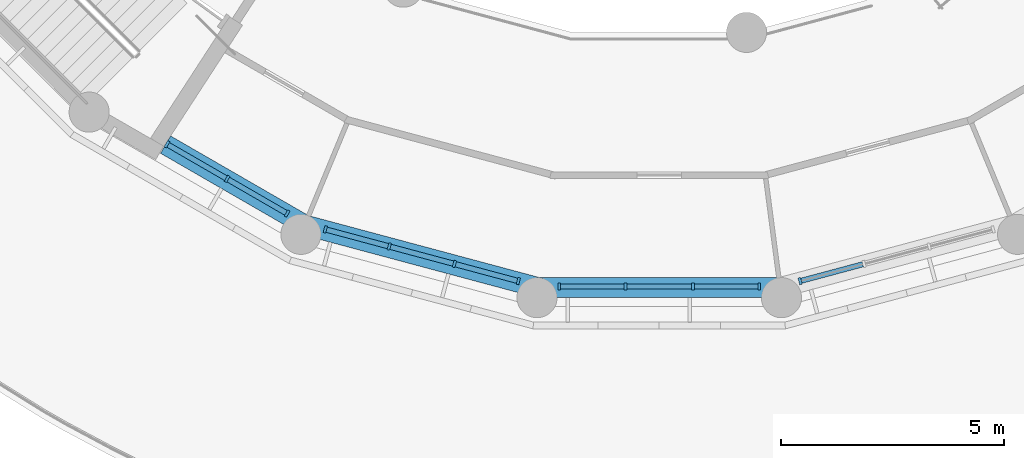
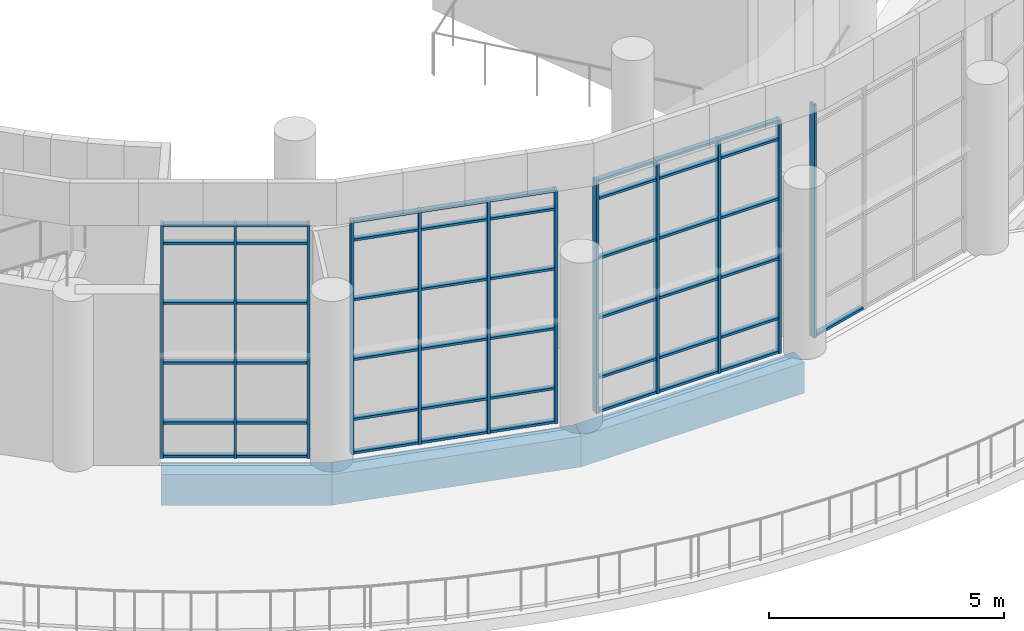
# One storey, part 8 of 136: 61 members, 3 beams, 4 elements without a shape of their own.
"""IFC4 building model written with IfcOpenShell, lengths in metres."""

from ifc_helpers import new_model, si_unit, direction, frame, origin, origin_2d, place, context, subcontext, project, spatial, rectangle, extrude, material, material_profile, profile_set, type_object, element, aggregate, save


model = new_model("IFC4")

# Units and contexts
model_context = context("Model", 3, precision=1e-05, world=origin(), true_north=direction((0.0, 1.0)))
body_context = subcontext(model_context, "Body", "Model", "MODEL_VIEW")
ifc_project = project(units=[si_unit("LENGTHUNIT", "METRE"), si_unit("AREAUNIT", "SQUARE_METRE"), si_unit("VOLUMEUNIT", "CUBIC_METRE"), si_unit("PLANEANGLEUNIT", "RADIAN"), si_unit("MASSUNIT", "GRAM", prefix="KILO")], contexts=[model_context])

# Site, building, storey
site_placement = place(None, origin())
site = spatial("IfcSite", under=ifc_project, at=site_placement, CompositionType="ELEMENT")
building_placement = place(site_placement, origin())
building = spatial("IfcBuilding", under=site, at=building_placement, Name="Bougainvillea Quay General Hospital", CompositionType="ELEMENT")
storey_placement = place(building_placement, frame((0.0, 0.0, 5.39990234375)))
storey = spatial("IfcBuildingStorey", under=building, at=storey_placement, Name="L01", CompositionType="ELEMENT", Elevation=5.39990234375)

# Curtain wall, members
ifc_material_1 = material(Name="Aluminium curtain wall system, powder-coated glazed", Category="aluminium")
curtain_wall_type_1 = type_object("IfcCurtainWallType", Name="Unitised curtain wall CW-1585", PredefinedType="NOTDEFINED", material=ifc_material_1)
curtain_wall_1_placement = place(storey_placement, origin())
curtain_wall_1 = element("IfcCurtainWall", 1, at=curtain_wall_1_placement, inside=storey, type_object=curtain_wall_type_1, Name="CW-D 00", PredefinedType="NOTDEFINED")
ifc_material_2 = material(Name="Aluminium mullion, powder-coated charcoal", Category="aluminium")
ifc_material_profile_1 = material_profile(ifc_material_2, rectangle(XDim=0.159912109375, YDim=0.06005859375, at=origin_2d()))
ifc_profile_set_1 = profile_set([ifc_material_profile_1], Name="Aluminium mullion, powder-coated charcoal")
member_type_1 = type_object("IfcMemberType", Name="Curtain wall mullion 160x60", PredefinedType="MULLION", material=ifc_profile_set_1)
member_1_placement = place(storey_placement, frame((98.162841796875, 56.620361328125, 0.0), z_axis=(0.0, 0.0, 1.0), x_axis=(0.499964557262, 0.866045865692, 0.0)))
member_1 = element("IfcMember", 2, at=member_1_placement, type_object=member_type_1, Name="CW-D mullion 1", PredefinedType="MULLION", context=body_context, shape_type="SweptSolid", body=[
    extrude(rectangle(XDim=0.159912109375, YDim=0.06005859375, at=origin_2d()), origin(), (0.0, 0.0, 1.0), 6.050048828125),
])
member_2_placement = place(storey_placement, frame((99.50927734375, 55.8427734375, 0.0), z_axis=(0.0, 0.0, 1.0), x_axis=(0.499964557262, 0.866045865692, 0.0)))
member_2 = element("IfcMember", 3, at=member_2_placement, type_object=member_type_1, Name="CW-D mullion 2", PredefinedType="MULLION", context=body_context, shape_type="SweptSolid", body=[
    extrude(rectangle(XDim=0.159912109375, YDim=0.06005859375, at=origin_2d()), origin(), (0.0, 0.0, 1.0), 6.050048828125),
])
member_3_placement = place(storey_placement, frame((100.85595703125, 55.0654296875, 0.0), z_axis=(0.0, 0.0, 1.0), x_axis=(0.499964557262, 0.866045865692, 0.0)))
member_3 = element("IfcMember", 4, at=member_3_placement, type_object=member_type_1, Name="CW-D mullion 3", PredefinedType="MULLION", context=body_context, shape_type="SweptSolid", body=[
    extrude(rectangle(XDim=0.159912109375, YDim=0.06005859375, at=origin_2d()), origin(), (0.0, 0.0, 1.0), 6.050048828125),
])

curtain_wall_type_2 = type_object("IfcCurtainWallType", Name="Unitised curtain wall CW-1514", PredefinedType="NOTDEFINED", material=ifc_material_1)
curtain_wall_2_placement = place(storey_placement, origin())
curtain_wall_2 = element("IfcCurtainWall", 5, at=curtain_wall_2_placement, inside=storey, type_object=curtain_wall_type_2, Name="CW-D 00", PredefinedType="NOTDEFINED")
member_4_placement = place(storey_placement, frame((101.711669921875, 54.7109375, 0.0), z_axis=(0.0, 0.0, 1.0), x_axis=(0.258854621298, 0.965916292974, 0.0)))
member_4 = element("IfcMember", 6, at=member_4_placement, type_object=member_type_1, Name="CW-D mullion 1", PredefinedType="MULLION", context=body_context, shape_type="SweptSolid", body=[
    extrude(rectangle(XDim=0.159912109375, YDim=0.06005859375, at=origin_2d()), origin(), (0.0, 0.0, 1.0), 6.050048828125),
])
member_5_placement = place(storey_placement, frame((103.14501953125, 54.326904296875, 0.0), z_axis=(0.0, 0.0, 1.0), x_axis=(0.258854621298, 0.965916292974, 0.0)))
member_5 = element("IfcMember", 7, at=member_5_placement, type_object=member_type_1, Name="CW-D mullion 2", PredefinedType="MULLION", context=body_context, shape_type="SweptSolid", body=[
    extrude(rectangle(XDim=0.159912109375, YDim=0.06005859375, at=origin_2d()), origin(), (0.0, 0.0, 1.0), 6.050048828125),
])
member_6_placement = place(storey_placement, frame((104.607421875, 53.93505859375, 0.0), z_axis=(0.0, 0.0, 1.0), x_axis=(0.258854621298, 0.965916292974, 0.0)))
member_6 = element("IfcMember", 8, at=member_6_placement, type_object=member_type_1, Name="CW-D mullion 3", PredefinedType="MULLION", context=body_context, shape_type="SweptSolid", body=[
    extrude(rectangle(XDim=0.159912109375, YDim=0.06005859375, at=origin_2d()), origin(), (0.0, 0.0, 1.0), 6.050048828125),
])
member_7_placement = place(storey_placement, frame((106.040771484375, 53.551025390625, 0.0), z_axis=(0.0, 0.0, 1.0), x_axis=(0.258854621298, 0.965916292974, 0.0)))
member_7 = element("IfcMember", 9, at=member_7_placement, type_object=member_type_1, Name="CW-D mullion 4", PredefinedType="MULLION", context=body_context, shape_type="SweptSolid", body=[
    extrude(rectangle(XDim=0.159912109375, YDim=0.06005859375, at=origin_2d()), origin(), (0.0, 0.0, 1.0), 6.050048828125),
])

curtain_wall_3_placement = place(storey_placement, origin())
curtain_wall_3 = element("IfcCurtainWall", 10, at=curtain_wall_3_placement, inside=storey, type_object=curtain_wall_type_2, Name="CW-D 00", PredefinedType="NOTDEFINED")
member_8_placement = place(storey_placement, frame((106.958984375, 53.429931640625, 0.0), z_axis=(0.0, 0.0, 1.0), x_axis=(0.0, 1.0, 0.0)))
member_8 = element("IfcMember", 11, at=member_8_placement, type_object=member_type_1, Name="CW-D mullion 1", PredefinedType="MULLION", context=body_context, shape_type="SweptSolid", body=[
    extrude(rectangle(XDim=0.159912109375, YDim=0.06005859375, at=origin_2d()), origin(), (0.0, 0.0, 1.0), 6.050048828125),
])
member_9_placement = place(storey_placement, frame((108.443115234375, 53.429931640625, 0.0), z_axis=(0.0, 0.0, 1.0), x_axis=(0.0, 1.0, 0.0)))
member_9 = element("IfcMember", 12, at=member_9_placement, type_object=member_type_1, Name="CW-D mullion 2", PredefinedType="MULLION", context=body_context, shape_type="SweptSolid", body=[
    extrude(rectangle(XDim=0.159912109375, YDim=0.06005859375, at=origin_2d()), origin(), (0.0, 0.0, 1.0), 6.050048828125),
])
member_10_placement = place(storey_placement, frame((109.95703125, 53.429931640625, 0.0), z_axis=(0.0, 0.0, 1.0), x_axis=(0.0, 1.0, 0.0)))
member_10 = element("IfcMember", 13, at=member_10_placement, type_object=member_type_1, Name="CW-D mullion 3", PredefinedType="MULLION", context=body_context, shape_type="SweptSolid", body=[
    extrude(rectangle(XDim=0.159912109375, YDim=0.06005859375, at=origin_2d()), origin(), (0.0, 0.0, 1.0), 6.050048828125),
])
member_11_placement = place(storey_placement, frame((111.44091796875, 53.429931640625, 0.0), z_axis=(0.0, 0.0, 1.0), x_axis=(0.0, 1.0, 0.0)))
member_11 = element("IfcMember", 14, at=member_11_placement, type_object=member_type_1, Name="CW-D mullion 4", PredefinedType="MULLION", context=body_context, shape_type="SweptSolid", body=[
    extrude(rectangle(XDim=0.159912109375, YDim=0.06005859375, at=origin_2d()), origin(), (0.0, 0.0, 1.0), 6.050048828125),
])

# Curtain wall, member
curtain_wall_4_placement = place(storey_placement, origin())
curtain_wall_4 = element("IfcCurtainWall", 15, at=curtain_wall_4_placement, inside=storey, type_object=curtain_wall_type_2, Name="CW-D 00", PredefinedType="NOTDEFINED")
member_12_placement = place(storey_placement, frame((112.359130859375, 53.551025390625, 0.0), z_axis=(0.0, 0.0, 1.0), x_axis=(-0.258854621298, 0.965916292974, 0.0)))
member_12 = element("IfcMember", 16, at=member_12_placement, type_object=member_type_1, Name="CW-D mullion 1", PredefinedType="MULLION", context=body_context, shape_type="SweptSolid", body=[
    extrude(rectangle(XDim=0.159912109375, YDim=0.06005859375, at=origin_2d()), origin(), (0.0, 0.0, 1.0), 6.050048828125),
])

# Member
ifc_material_3 = material(Name="Aluminium transom, powder-coated charcoal", Category="aluminium")
ifc_material_profile_2 = material_profile(ifc_material_3, rectangle(XDim=0.1201171875, YDim=0.06005859375, at=origin_2d()))
ifc_profile_set_2 = profile_set([ifc_material_profile_2], Name="Aluminium transom, powder-coated charcoal")
member_type_2 = type_object("IfcMemberType", Name="Curtain wall transom 120x60", PredefinedType="USERDEFINED", material=ifc_profile_set_2)
member_13_placement = place(storey_placement, frame((98.188720703125, 56.605224609375, 0.030029296875), z_axis=(0.866074087889, -0.499915667175, 0.0), x_axis=(0.499915667175, 0.866074087889, 0.0)))
member_13 = element("IfcMember", 17, at=member_13_placement, type_object=member_type_2, Name="CW-D transom 1.1", ObjectType="TRANSOM", PredefinedType="USERDEFINED", context=body_context, shape_type="SweptSolid", body=[
    extrude(rectangle(XDim=0.1201171875, YDim=0.06005859375, at=origin_2d()), origin(), (0.0, 0.0, 1.0), 1.494873046875),
])

member_14_placement = place(storey_placement, frame((98.188720703125, 56.605224609375, 0.900146484375), z_axis=(0.866074087889, -0.499915667175, 0.0), x_axis=(0.499915667175, 0.866074087889, 0.0)))
member_14 = element("IfcMember", 18, at=member_14_placement, type_object=member_type_2, Name="CW-D transom 1.2", ObjectType="TRANSOM", PredefinedType="USERDEFINED", context=body_context, shape_type="SweptSolid", body=[
    extrude(rectangle(XDim=0.1201171875, YDim=0.06005859375, at=origin_2d()), origin(), (0.0, 0.0, 1.0), 1.494873046875),
])

member_15_placement = place(storey_placement, frame((98.188720703125, 56.605224609375, 2.4501953125), z_axis=(0.866074087889, -0.499915667175, 0.0), x_axis=(0.499915667175, 0.866074087889, 0.0)))
member_15 = element("IfcMember", 19, at=member_15_placement, type_object=member_type_2, Name="CW-D transom 1.3", ObjectType="TRANSOM", PredefinedType="USERDEFINED", context=body_context, shape_type="SweptSolid", body=[
    extrude(rectangle(XDim=0.1201171875, YDim=0.06005859375, at=origin_2d()), origin(), (0.0, 0.0, 1.0), 1.494873046875),
])

member_16_placement = place(storey_placement, frame((98.188720703125, 56.605224609375, 4.0), z_axis=(0.866074087889, -0.499915667175, 0.0), x_axis=(0.499915667175, 0.866074087889, 0.0)))
member_16 = element("IfcMember", 20, at=member_16_placement, type_object=member_type_2, Name="CW-D transom 1.4", ObjectType="TRANSOM", PredefinedType="USERDEFINED", context=body_context, shape_type="SweptSolid", body=[
    extrude(rectangle(XDim=0.1201171875, YDim=0.06005859375, at=origin_2d()), origin(), (0.0, 0.0, 1.0), 1.494873046875),
])

member_17_placement = place(storey_placement, frame((98.188720703125, 56.605224609375, 5.550048828125), z_axis=(0.866074087889, -0.499915667175, 0.0), x_axis=(0.499915667175, 0.866074087889, 0.0)))
member_17 = element("IfcMember", 21, at=member_17_placement, type_object=member_type_2, Name="CW-D transom 1.5", ObjectType="TRANSOM", PredefinedType="USERDEFINED", context=body_context, shape_type="SweptSolid", body=[
    extrude(rectangle(XDim=0.1201171875, YDim=0.06005859375, at=origin_2d()), origin(), (0.0, 0.0, 1.0), 1.494873046875),
])

member_18_placement = place(storey_placement, frame((98.188720703125, 56.605224609375, 6.02001953125), z_axis=(0.866074087889, -0.499915667175, 0.0), x_axis=(0.499915667175, 0.866074087889, 0.0)))
member_18 = element("IfcMember", 22, at=member_18_placement, type_object=member_type_2, Name="CW-D transom 1.6", ObjectType="TRANSOM", PredefinedType="USERDEFINED", context=body_context, shape_type="SweptSolid", body=[
    extrude(rectangle(XDim=0.1201171875, YDim=0.06005859375, at=origin_2d()), origin(), (0.0, 0.0, 1.0), 1.494873046875),
])

member_19_placement = place(storey_placement, frame((99.535400390625, 55.827880859375, 0.030029296875), z_axis=(0.866074087889, -0.499915667175, 0.0), x_axis=(0.499915667175, 0.866074087889, 0.0)))
member_19 = element("IfcMember", 23, at=member_19_placement, type_object=member_type_2, Name="CW-D transom 2.1", ObjectType="TRANSOM", PredefinedType="USERDEFINED", context=body_context, shape_type="SweptSolid", body=[
    extrude(rectangle(XDim=0.1201171875, YDim=0.06005859375, at=origin_2d()), origin(), (0.0, 0.0, 1.0), 1.494873046875),
])

member_20_placement = place(storey_placement, frame((99.535400390625, 55.827880859375, 0.900146484375), z_axis=(0.866074087889, -0.499915667175, 0.0), x_axis=(0.499915667175, 0.866074087889, 0.0)))
member_20 = element("IfcMember", 24, at=member_20_placement, type_object=member_type_2, Name="CW-D transom 2.2", ObjectType="TRANSOM", PredefinedType="USERDEFINED", context=body_context, shape_type="SweptSolid", body=[
    extrude(rectangle(XDim=0.1201171875, YDim=0.06005859375, at=origin_2d()), origin(), (0.0, 0.0, 1.0), 1.494873046875),
])

member_21_placement = place(storey_placement, frame((99.535400390625, 55.827880859375, 2.4501953125), z_axis=(0.866074087889, -0.499915667175, 0.0), x_axis=(0.499915667175, 0.866074087889, 0.0)))
member_21 = element("IfcMember", 25, at=member_21_placement, type_object=member_type_2, Name="CW-D transom 2.3", ObjectType="TRANSOM", PredefinedType="USERDEFINED", context=body_context, shape_type="SweptSolid", body=[
    extrude(rectangle(XDim=0.1201171875, YDim=0.06005859375, at=origin_2d()), origin(), (0.0, 0.0, 1.0), 1.494873046875),
])

member_22_placement = place(storey_placement, frame((99.535400390625, 55.827880859375, 4.0), z_axis=(0.866074087889, -0.499915667175, 0.0), x_axis=(0.499915667175, 0.866074087889, 0.0)))
member_22 = element("IfcMember", 26, at=member_22_placement, type_object=member_type_2, Name="CW-D transom 2.4", ObjectType="TRANSOM", PredefinedType="USERDEFINED", context=body_context, shape_type="SweptSolid", body=[
    extrude(rectangle(XDim=0.1201171875, YDim=0.06005859375, at=origin_2d()), origin(), (0.0, 0.0, 1.0), 1.494873046875),
])

member_23_placement = place(storey_placement, frame((99.535400390625, 55.827880859375, 5.550048828125), z_axis=(0.866074087889, -0.499915667175, 0.0), x_axis=(0.499915667175, 0.866074087889, 0.0)))
member_23 = element("IfcMember", 27, at=member_23_placement, type_object=member_type_2, Name="CW-D transom 2.5", ObjectType="TRANSOM", PredefinedType="USERDEFINED", context=body_context, shape_type="SweptSolid", body=[
    extrude(rectangle(XDim=0.1201171875, YDim=0.06005859375, at=origin_2d()), origin(), (0.0, 0.0, 1.0), 1.494873046875),
])

member_24_placement = place(storey_placement, frame((99.535400390625, 55.827880859375, 6.02001953125), z_axis=(0.866074087889, -0.499915667175, 0.0), x_axis=(0.499915667175, 0.866074087889, 0.0)))
member_24 = element("IfcMember", 28, at=member_24_placement, type_object=member_type_2, Name="CW-D transom 2.6", ObjectType="TRANSOM", PredefinedType="USERDEFINED", context=body_context, shape_type="SweptSolid", body=[
    extrude(rectangle(XDim=0.1201171875, YDim=0.06005859375, at=origin_2d()), origin(), (0.0, 0.0, 1.0), 1.494873046875),
])

aggregate(curtain_wall_1, [member_1, member_2, member_3, member_13, member_14, member_15, member_16, member_17, member_18, member_19, member_20, member_21, member_22, member_23, member_24])

member_25_placement = place(storey_placement, frame((101.74072265625, 54.703369140625, 0.030029296875), z_axis=(0.965898291136, -0.258921785836, 0.0), x_axis=(0.258921785836, 0.965898291136, 0.0)))
member_25 = element("IfcMember", 29, at=member_25_placement, type_object=member_type_2, Name="CW-D transom 1.1", ObjectType="TRANSOM", PredefinedType="USERDEFINED", context=body_context, shape_type="SweptSolid", body=[
    extrude(rectangle(XDim=0.1201171875, YDim=0.06005859375, at=origin_2d()), origin(), (0.0, 0.0, 1.0), 1.423828125),
])

member_26_placement = place(storey_placement, frame((101.74072265625, 54.703369140625, 0.900146484375), z_axis=(0.965898291136, -0.258921785836, 0.0), x_axis=(0.258921785836, 0.965898291136, 0.0)))
member_26 = element("IfcMember", 30, at=member_26_placement, type_object=member_type_2, Name="CW-D transom 1.2", ObjectType="TRANSOM", PredefinedType="USERDEFINED", context=body_context, shape_type="SweptSolid", body=[
    extrude(rectangle(XDim=0.1201171875, YDim=0.06005859375, at=origin_2d()), origin(), (0.0, 0.0, 1.0), 1.423828125),
])

member_27_placement = place(storey_placement, frame((101.74072265625, 54.703369140625, 2.4501953125), z_axis=(0.965898291136, -0.258921785836, 0.0), x_axis=(0.258921785836, 0.965898291136, 0.0)))
member_27 = element("IfcMember", 31, at=member_27_placement, type_object=member_type_2, Name="CW-D transom 1.3", ObjectType="TRANSOM", PredefinedType="USERDEFINED", context=body_context, shape_type="SweptSolid", body=[
    extrude(rectangle(XDim=0.1201171875, YDim=0.06005859375, at=origin_2d()), origin(), (0.0, 0.0, 1.0), 1.423828125),
])

member_28_placement = place(storey_placement, frame((101.74072265625, 54.703369140625, 4.0), z_axis=(0.965898291136, -0.258921785836, 0.0), x_axis=(0.258921785836, 0.965898291136, 0.0)))
member_28 = element("IfcMember", 32, at=member_28_placement, type_object=member_type_2, Name="CW-D transom 1.4", ObjectType="TRANSOM", PredefinedType="USERDEFINED", context=body_context, shape_type="SweptSolid", body=[
    extrude(rectangle(XDim=0.1201171875, YDim=0.06005859375, at=origin_2d()), origin(), (0.0, 0.0, 1.0), 1.423828125),
])

member_29_placement = place(storey_placement, frame((101.74072265625, 54.703369140625, 5.550048828125), z_axis=(0.965898291136, -0.258921785836, 0.0), x_axis=(0.258921785836, 0.965898291136, 0.0)))
member_29 = element("IfcMember", 33, at=member_29_placement, type_object=member_type_2, Name="CW-D transom 1.5", ObjectType="TRANSOM", PredefinedType="USERDEFINED", context=body_context, shape_type="SweptSolid", body=[
    extrude(rectangle(XDim=0.1201171875, YDim=0.06005859375, at=origin_2d()), origin(), (0.0, 0.0, 1.0), 1.423828125),
])

member_30_placement = place(storey_placement, frame((101.74072265625, 54.703369140625, 6.02001953125), z_axis=(0.965898291136, -0.258921785836, 0.0), x_axis=(0.258921785836, 0.965898291136, 0.0)))
member_30 = element("IfcMember", 34, at=member_30_placement, type_object=member_type_2, Name="CW-D transom 1.6", ObjectType="TRANSOM", PredefinedType="USERDEFINED", context=body_context, shape_type="SweptSolid", body=[
    extrude(rectangle(XDim=0.1201171875, YDim=0.06005859375, at=origin_2d()), origin(), (0.0, 0.0, 1.0), 1.423828125),
])

member_31_placement = place(storey_placement, frame((103.174072265625, 54.319091796875, 0.030029296875), z_axis=(0.965936059001, -0.258780853081, 0.0), x_axis=(0.258780853081, 0.965936059001, 0.0)))
member_31 = element("IfcMember", 35, at=member_31_placement, type_object=member_type_2, Name="CW-D transom 2.1", ObjectType="TRANSOM", PredefinedType="USERDEFINED", context=body_context, shape_type="SweptSolid", body=[
    extrude(rectangle(XDim=0.1201171875, YDim=0.06005859375, at=origin_2d()), origin(), (0.0, 0.0, 1.0), 1.453857421875),
])

member_32_placement = place(storey_placement, frame((103.174072265625, 54.319091796875, 0.900146484375), z_axis=(0.965936059001, -0.258780853081, 0.0), x_axis=(0.258780853081, 0.965936059001, 0.0)))
member_32 = element("IfcMember", 36, at=member_32_placement, type_object=member_type_2, Name="CW-D transom 2.2", ObjectType="TRANSOM", PredefinedType="USERDEFINED", context=body_context, shape_type="SweptSolid", body=[
    extrude(rectangle(XDim=0.1201171875, YDim=0.06005859375, at=origin_2d()), origin(), (0.0, 0.0, 1.0), 1.453857421875),
])

member_33_placement = place(storey_placement, frame((103.174072265625, 54.319091796875, 2.4501953125), z_axis=(0.965936059001, -0.258780853081, 0.0), x_axis=(0.258780853081, 0.965936059001, 0.0)))
member_33 = element("IfcMember", 37, at=member_33_placement, type_object=member_type_2, Name="CW-D transom 2.3", ObjectType="TRANSOM", PredefinedType="USERDEFINED", context=body_context, shape_type="SweptSolid", body=[
    extrude(rectangle(XDim=0.1201171875, YDim=0.06005859375, at=origin_2d()), origin(), (0.0, 0.0, 1.0), 1.453857421875),
])

member_34_placement = place(storey_placement, frame((103.174072265625, 54.319091796875, 4.0), z_axis=(0.965936059001, -0.258780853081, 0.0), x_axis=(0.258780853081, 0.965936059001, 0.0)))
member_34 = element("IfcMember", 38, at=member_34_placement, type_object=member_type_2, Name="CW-D transom 2.4", ObjectType="TRANSOM", PredefinedType="USERDEFINED", context=body_context, shape_type="SweptSolid", body=[
    extrude(rectangle(XDim=0.1201171875, YDim=0.06005859375, at=origin_2d()), origin(), (0.0, 0.0, 1.0), 1.453857421875),
])

member_35_placement = place(storey_placement, frame((103.174072265625, 54.319091796875, 5.550048828125), z_axis=(0.965936059001, -0.258780853081, 0.0), x_axis=(0.258780853081, 0.965936059001, 0.0)))
member_35 = element("IfcMember", 39, at=member_35_placement, type_object=member_type_2, Name="CW-D transom 2.5", ObjectType="TRANSOM", PredefinedType="USERDEFINED", context=body_context, shape_type="SweptSolid", body=[
    extrude(rectangle(XDim=0.1201171875, YDim=0.06005859375, at=origin_2d()), origin(), (0.0, 0.0, 1.0), 1.453857421875),
])

member_36_placement = place(storey_placement, frame((103.174072265625, 54.319091796875, 6.02001953125), z_axis=(0.965936059001, -0.258780853081, 0.0), x_axis=(0.258780853081, 0.965936059001, 0.0)))
member_36 = element("IfcMember", 40, at=member_36_placement, type_object=member_type_2, Name="CW-D transom 2.6", ObjectType="TRANSOM", PredefinedType="USERDEFINED", context=body_context, shape_type="SweptSolid", body=[
    extrude(rectangle(XDim=0.1201171875, YDim=0.06005859375, at=origin_2d()), origin(), (0.0, 0.0, 1.0), 1.453857421875),
])

member_37_placement = place(storey_placement, frame((104.636474609375, 53.92724609375, 0.030029296875), z_axis=(0.965898291136, -0.258921785836, 0.0), x_axis=(0.258921785836, 0.965898291136, 0.0)))
member_37 = element("IfcMember", 41, at=member_37_placement, type_object=member_type_2, Name="CW-D transom 3.1", ObjectType="TRANSOM", PredefinedType="USERDEFINED", context=body_context, shape_type="SweptSolid", body=[
    extrude(rectangle(XDim=0.1201171875, YDim=0.06005859375, at=origin_2d()), origin(), (0.0, 0.0, 1.0), 1.423828125),
])

member_38_placement = place(storey_placement, frame((104.636474609375, 53.92724609375, 0.900146484375), z_axis=(0.965898291136, -0.258921785836, 0.0), x_axis=(0.258921785836, 0.965898291136, 0.0)))
member_38 = element("IfcMember", 42, at=member_38_placement, type_object=member_type_2, Name="CW-D transom 3.2", ObjectType="TRANSOM", PredefinedType="USERDEFINED", context=body_context, shape_type="SweptSolid", body=[
    extrude(rectangle(XDim=0.1201171875, YDim=0.06005859375, at=origin_2d()), origin(), (0.0, 0.0, 1.0), 1.423828125),
])

member_39_placement = place(storey_placement, frame((104.636474609375, 53.92724609375, 2.4501953125), z_axis=(0.965898291136, -0.258921785836, 0.0), x_axis=(0.258921785836, 0.965898291136, 0.0)))
member_39 = element("IfcMember", 43, at=member_39_placement, type_object=member_type_2, Name="CW-D transom 3.3", ObjectType="TRANSOM", PredefinedType="USERDEFINED", context=body_context, shape_type="SweptSolid", body=[
    extrude(rectangle(XDim=0.1201171875, YDim=0.06005859375, at=origin_2d()), origin(), (0.0, 0.0, 1.0), 1.423828125),
])

member_40_placement = place(storey_placement, frame((104.636474609375, 53.92724609375, 4.0), z_axis=(0.965898291136, -0.258921785836, 0.0), x_axis=(0.258921785836, 0.965898291136, 0.0)))
member_40 = element("IfcMember", 44, at=member_40_placement, type_object=member_type_2, Name="CW-D transom 3.4", ObjectType="TRANSOM", PredefinedType="USERDEFINED", context=body_context, shape_type="SweptSolid", body=[
    extrude(rectangle(XDim=0.1201171875, YDim=0.06005859375, at=origin_2d()), origin(), (0.0, 0.0, 1.0), 1.423828125),
])

member_41_placement = place(storey_placement, frame((104.636474609375, 53.92724609375, 5.550048828125), z_axis=(0.965898291136, -0.258921785836, 0.0), x_axis=(0.258921785836, 0.965898291136, 0.0)))
member_41 = element("IfcMember", 45, at=member_41_placement, type_object=member_type_2, Name="CW-D transom 3.5", ObjectType="TRANSOM", PredefinedType="USERDEFINED", context=body_context, shape_type="SweptSolid", body=[
    extrude(rectangle(XDim=0.1201171875, YDim=0.06005859375, at=origin_2d()), origin(), (0.0, 0.0, 1.0), 1.423828125),
])

member_42_placement = place(storey_placement, frame((104.636474609375, 53.92724609375, 6.02001953125), z_axis=(0.965898291136, -0.258921785836, 0.0), x_axis=(0.258921785836, 0.965898291136, 0.0)))
member_42 = element("IfcMember", 46, at=member_42_placement, type_object=member_type_2, Name="CW-D transom 3.6", ObjectType="TRANSOM", PredefinedType="USERDEFINED", context=body_context, shape_type="SweptSolid", body=[
    extrude(rectangle(XDim=0.1201171875, YDim=0.06005859375, at=origin_2d()), origin(), (0.0, 0.0, 1.0), 1.423828125),
])

aggregate(curtain_wall_2, [member_4, member_5, member_6, member_7, member_25, member_26, member_27, member_28, member_29, member_30, member_31, member_32, member_33, member_34, member_35, member_36, member_37, member_38, member_39, member_40, member_41, member_42])

member_43_placement = place(storey_placement, frame((106.989013671875, 53.429931640625, 0.030029296875), z_axis=(1.0, 0.0, 0.0), x_axis=(0.0, 1.0, 0.0)))
member_43 = element("IfcMember", 47, at=member_43_placement, type_object=member_type_2, Name="CW-D transom 1.1", ObjectType="TRANSOM", PredefinedType="USERDEFINED", context=body_context, shape_type="SweptSolid", body=[
    extrude(rectangle(XDim=0.1201171875, YDim=0.06005859375, at=origin_2d()), origin(), (0.0, 0.0, 1.0), 1.424072265625),
])

member_44_placement = place(storey_placement, frame((106.989013671875, 53.429931640625, 0.900146484375), z_axis=(1.0, 0.0, 0.0), x_axis=(0.0, 1.0, 0.0)))
member_44 = element("IfcMember", 48, at=member_44_placement, type_object=member_type_2, Name="CW-D transom 1.2", ObjectType="TRANSOM", PredefinedType="USERDEFINED", context=body_context, shape_type="SweptSolid", body=[
    extrude(rectangle(XDim=0.1201171875, YDim=0.06005859375, at=origin_2d()), origin(), (0.0, 0.0, 1.0), 1.424072265625),
])

member_45_placement = place(storey_placement, frame((106.989013671875, 53.429931640625, 2.4501953125), z_axis=(1.0, 0.0, 0.0), x_axis=(0.0, 1.0, 0.0)))
member_45 = element("IfcMember", 49, at=member_45_placement, type_object=member_type_2, Name="CW-D transom 1.3", ObjectType="TRANSOM", PredefinedType="USERDEFINED", context=body_context, shape_type="SweptSolid", body=[
    extrude(rectangle(XDim=0.1201171875, YDim=0.06005859375, at=origin_2d()), origin(), (0.0, 0.0, 1.0), 1.424072265625),
])

member_46_placement = place(storey_placement, frame((106.989013671875, 53.429931640625, 4.0), z_axis=(1.0, 0.0, 0.0), x_axis=(0.0, 1.0, 0.0)))
member_46 = element("IfcMember", 50, at=member_46_placement, type_object=member_type_2, Name="CW-D transom 1.4", ObjectType="TRANSOM", PredefinedType="USERDEFINED", context=body_context, shape_type="SweptSolid", body=[
    extrude(rectangle(XDim=0.1201171875, YDim=0.06005859375, at=origin_2d()), origin(), (0.0, 0.0, 1.0), 1.424072265625),
])

member_47_placement = place(storey_placement, frame((106.989013671875, 53.429931640625, 5.550048828125), z_axis=(1.0, 0.0, 0.0), x_axis=(0.0, 1.0, 0.0)))
member_47 = element("IfcMember", 51, at=member_47_placement, type_object=member_type_2, Name="CW-D transom 1.5", ObjectType="TRANSOM", PredefinedType="USERDEFINED", context=body_context, shape_type="SweptSolid", body=[
    extrude(rectangle(XDim=0.1201171875, YDim=0.06005859375, at=origin_2d()), origin(), (0.0, 0.0, 1.0), 1.424072265625),
])

member_48_placement = place(storey_placement, frame((106.989013671875, 53.429931640625, 6.02001953125), z_axis=(1.0, 0.0, 0.0), x_axis=(0.0, 1.0, 0.0)))
member_48 = element("IfcMember", 52, at=member_48_placement, type_object=member_type_2, Name="CW-D transom 1.6", ObjectType="TRANSOM", PredefinedType="USERDEFINED", context=body_context, shape_type="SweptSolid", body=[
    extrude(rectangle(XDim=0.1201171875, YDim=0.06005859375, at=origin_2d()), origin(), (0.0, 0.0, 1.0), 1.424072265625),
])

member_49_placement = place(storey_placement, frame((108.472900390625, 53.429931640625, 0.030029296875), z_axis=(1.0, 0.0, 0.0), x_axis=(0.0, 1.0, 0.0)))
member_49 = element("IfcMember", 53, at=member_49_placement, type_object=member_type_2, Name="CW-D transom 2.1", ObjectType="TRANSOM", PredefinedType="USERDEFINED", context=body_context, shape_type="SweptSolid", body=[
    extrude(rectangle(XDim=0.1201171875, YDim=0.06005859375, at=origin_2d()), origin(), (0.0, 0.0, 1.0), 1.4541015625),
])

member_50_placement = place(storey_placement, frame((108.472900390625, 53.429931640625, 0.900146484375), z_axis=(1.0, 0.0, 0.0), x_axis=(0.0, 1.0, 0.0)))
member_50 = element("IfcMember", 54, at=member_50_placement, type_object=member_type_2, Name="CW-D transom 2.2", ObjectType="TRANSOM", PredefinedType="USERDEFINED", context=body_context, shape_type="SweptSolid", body=[
    extrude(rectangle(XDim=0.1201171875, YDim=0.06005859375, at=origin_2d()), origin(), (0.0, 0.0, 1.0), 1.4541015625),
])

member_51_placement = place(storey_placement, frame((108.472900390625, 53.429931640625, 2.4501953125), z_axis=(1.0, 0.0, 0.0), x_axis=(0.0, 1.0, 0.0)))
member_51 = element("IfcMember", 55, at=member_51_placement, type_object=member_type_2, Name="CW-D transom 2.3", ObjectType="TRANSOM", PredefinedType="USERDEFINED", context=body_context, shape_type="SweptSolid", body=[
    extrude(rectangle(XDim=0.1201171875, YDim=0.06005859375, at=origin_2d()), origin(), (0.0, 0.0, 1.0), 1.4541015625),
])

member_52_placement = place(storey_placement, frame((108.472900390625, 53.429931640625, 4.0), z_axis=(1.0, 0.0, 0.0), x_axis=(0.0, 1.0, 0.0)))
member_52 = element("IfcMember", 56, at=member_52_placement, type_object=member_type_2, Name="CW-D transom 2.4", ObjectType="TRANSOM", PredefinedType="USERDEFINED", context=body_context, shape_type="SweptSolid", body=[
    extrude(rectangle(XDim=0.1201171875, YDim=0.06005859375, at=origin_2d()), origin(), (0.0, 0.0, 1.0), 1.4541015625),
])

member_53_placement = place(storey_placement, frame((108.472900390625, 53.429931640625, 5.550048828125), z_axis=(1.0, 0.0, 0.0), x_axis=(0.0, 1.0, 0.0)))
member_53 = element("IfcMember", 57, at=member_53_placement, type_object=member_type_2, Name="CW-D transom 2.5", ObjectType="TRANSOM", PredefinedType="USERDEFINED", context=body_context, shape_type="SweptSolid", body=[
    extrude(rectangle(XDim=0.1201171875, YDim=0.06005859375, at=origin_2d()), origin(), (0.0, 0.0, 1.0), 1.4541015625),
])

member_54_placement = place(storey_placement, frame((108.472900390625, 53.429931640625, 6.02001953125), z_axis=(1.0, 0.0, 0.0), x_axis=(0.0, 1.0, 0.0)))
member_54 = element("IfcMember", 58, at=member_54_placement, type_object=member_type_2, Name="CW-D transom 2.6", ObjectType="TRANSOM", PredefinedType="USERDEFINED", context=body_context, shape_type="SweptSolid", body=[
    extrude(rectangle(XDim=0.1201171875, YDim=0.06005859375, at=origin_2d()), origin(), (0.0, 0.0, 1.0), 1.4541015625),
])

member_55_placement = place(storey_placement, frame((109.987060546875, 53.429931640625, 0.030029296875), z_axis=(1.0, 0.0, 0.0), x_axis=(0.0, 1.0, 0.0)))
member_55 = element("IfcMember", 59, at=member_55_placement, type_object=member_type_2, Name="CW-D transom 3.1", ObjectType="TRANSOM", PredefinedType="USERDEFINED", context=body_context, shape_type="SweptSolid", body=[
    extrude(rectangle(XDim=0.1201171875, YDim=0.06005859375, at=origin_2d()), origin(), (0.0, 0.0, 1.0), 1.423828125),
])

member_56_placement = place(storey_placement, frame((109.987060546875, 53.429931640625, 0.900146484375), z_axis=(1.0, 0.0, 0.0), x_axis=(0.0, 1.0, 0.0)))
member_56 = element("IfcMember", 60, at=member_56_placement, type_object=member_type_2, Name="CW-D transom 3.2", ObjectType="TRANSOM", PredefinedType="USERDEFINED", context=body_context, shape_type="SweptSolid", body=[
    extrude(rectangle(XDim=0.1201171875, YDim=0.06005859375, at=origin_2d()), origin(), (0.0, 0.0, 1.0), 1.423828125),
])

member_57_placement = place(storey_placement, frame((109.987060546875, 53.429931640625, 2.4501953125), z_axis=(1.0, 0.0, 0.0), x_axis=(0.0, 1.0, 0.0)))
member_57 = element("IfcMember", 61, at=member_57_placement, type_object=member_type_2, Name="CW-D transom 3.3", ObjectType="TRANSOM", PredefinedType="USERDEFINED", context=body_context, shape_type="SweptSolid", body=[
    extrude(rectangle(XDim=0.1201171875, YDim=0.06005859375, at=origin_2d()), origin(), (0.0, 0.0, 1.0), 1.423828125),
])

member_58_placement = place(storey_placement, frame((109.987060546875, 53.429931640625, 4.0), z_axis=(1.0, 0.0, 0.0), x_axis=(0.0, 1.0, 0.0)))
member_58 = element("IfcMember", 62, at=member_58_placement, type_object=member_type_2, Name="CW-D transom 3.4", ObjectType="TRANSOM", PredefinedType="USERDEFINED", context=body_context, shape_type="SweptSolid", body=[
    extrude(rectangle(XDim=0.1201171875, YDim=0.06005859375, at=origin_2d()), origin(), (0.0, 0.0, 1.0), 1.423828125),
])

member_59_placement = place(storey_placement, frame((109.987060546875, 53.429931640625, 5.550048828125), z_axis=(1.0, 0.0, 0.0), x_axis=(0.0, 1.0, 0.0)))
member_59 = element("IfcMember", 63, at=member_59_placement, type_object=member_type_2, Name="CW-D transom 3.5", ObjectType="TRANSOM", PredefinedType="USERDEFINED", context=body_context, shape_type="SweptSolid", body=[
    extrude(rectangle(XDim=0.1201171875, YDim=0.06005859375, at=origin_2d()), origin(), (0.0, 0.0, 1.0), 1.423828125),
])

member_60_placement = place(storey_placement, frame((109.987060546875, 53.429931640625, 6.02001953125), z_axis=(1.0, 0.0, 0.0), x_axis=(0.0, 1.0, 0.0)))
member_60 = element("IfcMember", 64, at=member_60_placement, type_object=member_type_2, Name="CW-D transom 3.6", ObjectType="TRANSOM", PredefinedType="USERDEFINED", context=body_context, shape_type="SweptSolid", body=[
    extrude(rectangle(XDim=0.1201171875, YDim=0.06005859375, at=origin_2d()), origin(), (0.0, 0.0, 1.0), 1.423828125),
])

aggregate(curtain_wall_3, [member_8, member_9, member_10, member_11, member_43, member_44, member_45, member_46, member_47, member_48, member_49, member_50, member_51, member_52, member_53, member_54, member_55, member_56, member_57, member_58, member_59, member_60])

member_61_placement = place(storey_placement, frame((112.38818359375, 53.55859375, 0.030029296875), z_axis=(0.965909783806, 0.258878909043, 0.0), x_axis=(-0.258878909043, 0.965909783806, 0.0)))
member_61 = element("IfcMember", 65, at=member_61_placement, type_object=member_type_2, Name="CW-D transom 1.1", ObjectType="TRANSOM", PredefinedType="USERDEFINED", context=body_context, shape_type="SweptSolid", body=[
    extrude(rectangle(XDim=0.1201171875, YDim=0.06005859375, at=origin_2d()), origin(), (0.0, 0.0, 1.0), 1.424072265625),
])

aggregate(curtain_wall_4, [member_12, member_61])

# Beams
ifc_material_4 = material(Name="Concrete C40", Category="concrete")
ifc_material_profile_3 = material_profile(ifc_material_4, rectangle(XDim=0.449951171875, YDim=0.800048828125, at=origin_2d()))
ifc_profile_set_3 = profile_set([ifc_material_profile_3], Name="Concrete C40")
beam_type = type_object("IfcBeamType", Name="RC BEAM 450x800 C40", PredefinedType="BEAM", material=ifc_profile_set_3)
beam_placement = place(storey_placement, frame((98.129638671875, 56.610595703125, -0.699951171875), z_axis=(0.866055803848, -0.499947341849, 0.0), x_axis=(0.499947341849, 0.866055803848, 0.0)))
element("IfcBeam", 66, at=beam_placement, inside=storey, type_object=beam_type, Name="Edge beam L01", PredefinedType="BEAM", context=body_context, shape_type="SweptSolid", body=[
    extrude(rectangle(XDim=0.449951171875, YDim=0.800048828125, at=origin_2d()), origin(), (0.0, 0.0, 1.0), 3.6337890625),
])
for number, where, z_axis, x_axis, name in (
    (67, (101.22216796875, 54.81640625, -0.699951171875), (0.965909681024, -0.258879292535, 0.0), (0.258879292535, 0.965909681024, 0.0), "Edge beam L01"),
    (68, (106.458984375, 53.405029296875, -0.699951171875), (1.0, 0.0, 0.0), (0.0, 1.0, 0.0), "Edge beam L01"),
):
    element("IfcBeam", number, at=place(storey_placement, frame(where, z_axis=z_axis, x_axis=x_axis)), inside=storey, type_object=beam_type, Name=name, PredefinedType="BEAM", context=body_context, shape_type="SweptSolid", body=[
        extrude(rectangle(XDim=0.449951171875, YDim=0.800048828125, at=origin_2d()), origin(), (0.0, 0.0, 1.0), 5.48193359375),
    ])

save(model, "model.ifc")
